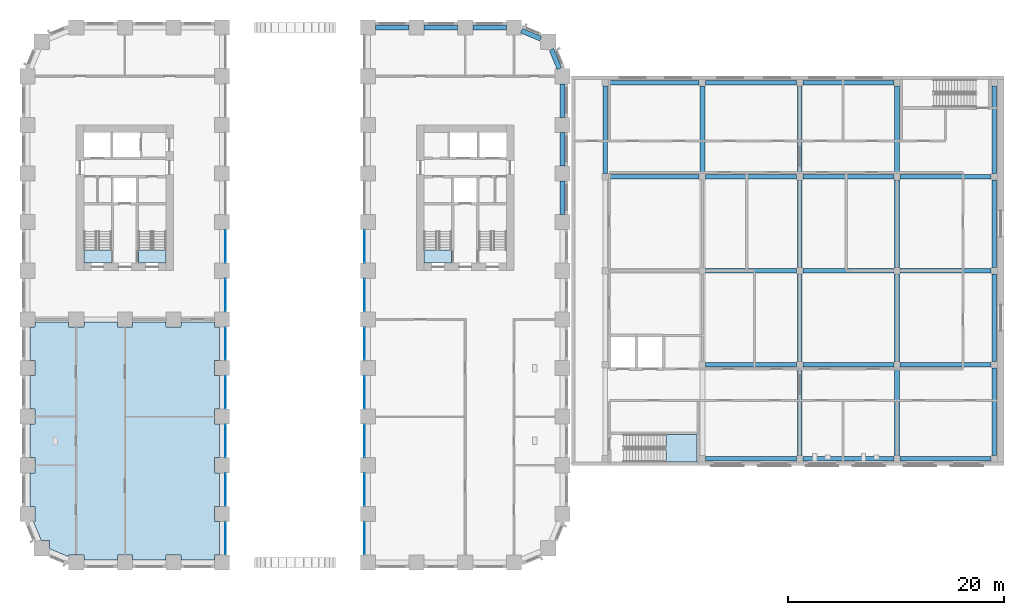
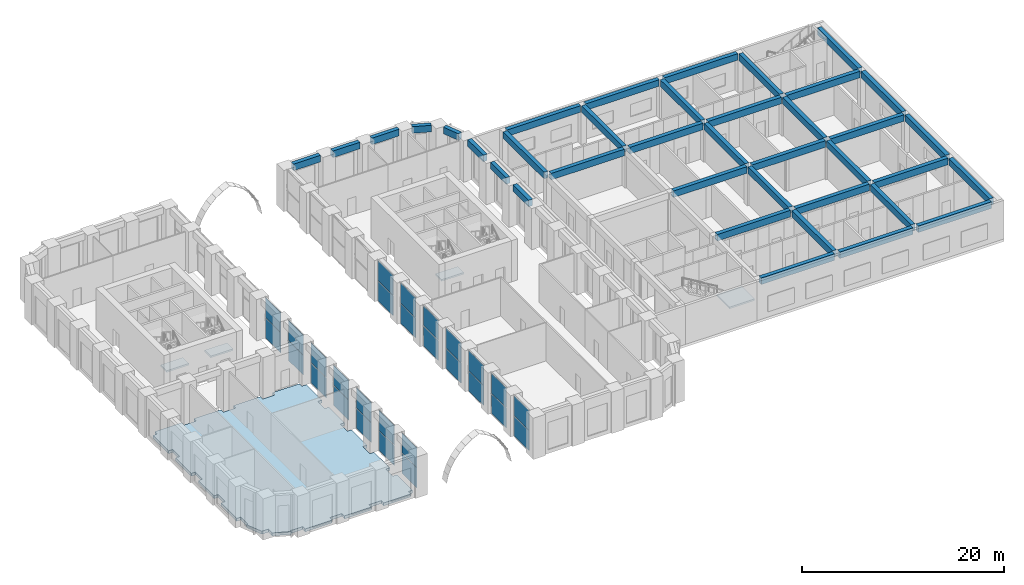
# One storey, part 6 of 24: 38 beams, 28 plates, 5 slabs, 18 elements without a shape of their own.
"""IFC4 building model written with IfcOpenShell, lengths in metres."""

from ifc_helpers import new_model, si_unit, direction, frame, origin, origin_2d, place, context, subcontext, project, spatial, polyline, rectangle, outline, extrude, material, layer, layer_set, material_profile, profile_set, type_object, element, aggregate, save


model = new_model("IFC4")

# Units and contexts
model_context = context("Model", 3, precision=1e-05, world=origin(), true_north=direction((0.0, 1.0)))
body_context = subcontext(model_context, "Body", "Model", "MODEL_VIEW")
ifc_project = project(units=[si_unit("LENGTHUNIT", "METRE"), si_unit("AREAUNIT", "SQUARE_METRE"), si_unit("VOLUMEUNIT", "CUBIC_METRE"), si_unit("PLANEANGLEUNIT", "RADIAN"), si_unit("MASSUNIT", "GRAM", prefix="KILO")], contexts=[model_context])

# Site, building, storey
site_placement = place(None, origin())
site = spatial("IfcSite", under=ifc_project, at=site_placement, CompositionType="ELEMENT")
building_placement = place(site_placement, origin())
building = spatial("IfcBuilding", under=site, at=building_placement, Name="Girih Gate Residences", CompositionType="ELEMENT")
storey_placement = place(building_placement, frame((0.0, 0.0, 11.0)))
storey = spatial("IfcBuildingStorey", under=building, at=storey_placement, Name="L02", CompositionType="ELEMENT", Elevation=11.0)

# Beams
ifc_material_1 = material(Name="Concrete C40/50", Category="concrete")
ifc_material_profile_1 = material_profile(ifc_material_1, rectangle(XDim=0.449951171875, YDim=0.800048828125, at=origin_2d()))
ifc_profile_set_1 = profile_set([ifc_material_profile_1], Name="Concrete C40/50")
beam_type_1 = type_object("IfcBeamType", Name="HC Beam 450x800 C40/50", PredefinedType="BEAM", material=ifc_profile_set_1)
for number, where, z_axis, x_axis, name in (
    (1, (62.75, 9.60009765625, 4.300048828125), (1.0, 0.0, 0.0), (0.0, 1.0, 0.0), "L02 beam HA.2"),
    (2, (71.75, 9.60009765625, 4.300048828125), (1.0, 0.0, 0.0), (0.0, 1.0, 0.0), "L02 beam HA.3"),
    (3, (80.75, 9.60009765625, 4.300048828125), (1.0, 0.0, 0.0), (0.0, 1.0, 0.0), "L02 beam HA.4"),
    (4, (62.75, 18.300048828125, 4.300048828125), (1.0, 0.0, 0.0), (0.0, 1.0, 0.0), "L02 beam HB.2"),
    (5, (71.75, 18.300048828125, 4.300048828125), (1.0, 0.0, 0.0), (0.0, 1.0, 0.0), "L02 beam HB.3"),
    (6, (80.75, 18.300048828125, 4.300048828125), (1.0, 0.0, 0.0), (0.0, 1.0, 0.0), "L02 beam HB.4"),
    (7, (62.75, 27.0, 4.300048828125), (1.0, 0.0, 0.0), (0.0, 1.0, 0.0), "L02 beam HC.2"),
    (8, (71.75, 27.0, 4.300048828125), (1.0, 0.0, 0.0), (0.0, 1.0, 0.0), "L02 beam HC.3"),
    (9, (80.75, 27.0, 4.300048828125), (1.0, 0.0, 0.0), (0.0, 1.0, 0.0), "L02 beam HC.4"),
    (10, (53.75, 35.699951171875, 4.300048828125), (1.0, 0.0, 0.0), (0.0, 1.0, 0.0), "L02 beam HD.1"),
    (11, (62.75, 35.699951171875, 4.300048828125), (1.0, 0.0, 0.0), (0.0, 1.0, 0.0), "L02 beam HD.2"),
    (12, (71.75, 35.699951171875, 4.300048828125), (1.0, 0.0, 0.0), (0.0, 1.0, 0.0), "L02 beam HD.3"),
    (13, (80.75, 35.699951171875, 4.300048828125), (1.0, 0.0, 0.0), (0.0, 1.0, 0.0), "L02 beam HD.4"),
    (14, (53.75, 44.39990234375, 4.300048828125), (1.0, 0.0, 0.0), (0.0, 1.0, 0.0), "L02 beam HE.1"),
    (15, (62.75, 44.39990234375, 4.300048828125), (1.0, 0.0, 0.0), (0.0, 1.0, 0.0), "L02 beam HE.2"),
    (16, (71.75, 44.39990234375, 4.300048828125), (1.0, 0.0, 0.0), (0.0, 1.0, 0.0), "L02 beam HE.3"),
):
    element("IfcBeam", number, at=place(storey_placement, frame(where, z_axis=z_axis, x_axis=x_axis)), inside=storey, type_object=beam_type_1, Name=name, PredefinedType="BEAM", context=body_context, shape_type="SweptSolid", body=[
        extrude(rectangle(XDim=0.449951171875, YDim=0.800048828125, at=origin_2d()), origin(), (0.0, 0.0, 1.0), 8.39990234375),
    ])
for number, where, z_axis, x_axis, name in (
    (17, (53.449951171875, 36.0, 4.300048828125), (0.0, 1.0, 0.0), (-1.0, 0.0, 0.0), "L02 beam H1.4"),
    (18, (62.449951171875, 36.0, 4.300048828125), (0.0, 1.0, 0.0), (-1.0, 0.0, 0.0), "L02 beam H2.4"),
    (19, (71.449951171875, 9.89990234375, 4.300048828125), (0.0, 1.0, 0.0), (-1.0, 0.0, 0.0), "L02 beam H3.1"),
):
    element("IfcBeam", number, at=place(storey_placement, frame(where, z_axis=z_axis, x_axis=x_axis)), inside=storey, type_object=beam_type_1, Name=name, PredefinedType="BEAM", context=body_context, shape_type="SweptSolid", body=[
        extrude(rectangle(XDim=0.449951171875, YDim=0.800048828125, at=origin_2d()), origin(), (0.0, 0.0, 1.0), 8.10009765625),
    ])
for number, where, z_axis, x_axis, name in (
    (20, (71.449951171875, 18.60009765625, 4.300048828125), (0.0, 1.0, 0.0), (-1.0, 0.0, 0.0), "L02 beam H3.2"),
    (21, (71.449951171875, 27.300048828125, 4.300048828125), (0.0, 1.0, 0.0), (-1.0, 0.0, 0.0), "L02 beam H3.3"),
):
    element("IfcBeam", number, at=place(storey_placement, frame(where, z_axis=z_axis, x_axis=x_axis)), inside=storey, type_object=beam_type_1, Name=name, PredefinedType="BEAM", context=body_context, shape_type="SweptSolid", body=[
        extrude(rectangle(XDim=0.449951171875, YDim=0.800048828125, at=origin_2d()), origin(), (0.0, 0.0, 1.0), 8.099853515625),
    ])
for number, where, z_axis, x_axis, name in (
    (22, (71.449951171875, 36.0, 4.300048828125), (0.0, 1.0, 0.0), (-1.0, 0.0, 0.0), "L02 beam H3.4"),
    (23, (80.449951171875, 9.89990234375, 4.300048828125), (0.0, 1.0, 0.0), (-1.0, 0.0, 0.0), "L02 beam H4.1"),
):
    element("IfcBeam", number, at=place(storey_placement, frame(where, z_axis=z_axis, x_axis=x_axis)), inside=storey, type_object=beam_type_1, Name=name, PredefinedType="BEAM", context=body_context, shape_type="SweptSolid", body=[
        extrude(rectangle(XDim=0.449951171875, YDim=0.800048828125, at=origin_2d()), origin(), (0.0, 0.0, 1.0), 8.10009765625),
    ])
for number, where, z_axis, x_axis, name in (
    (24, (80.449951171875, 18.60009765625, 4.300048828125), (0.0, 1.0, 0.0), (-1.0, 0.0, 0.0), "L02 beam H4.2"),
    (25, (80.449951171875, 27.300048828125, 4.300048828125), (0.0, 1.0, 0.0), (-1.0, 0.0, 0.0), "L02 beam H4.3"),
):
    element("IfcBeam", number, at=place(storey_placement, frame(where, z_axis=z_axis, x_axis=x_axis)), inside=storey, type_object=beam_type_1, Name=name, PredefinedType="BEAM", context=body_context, shape_type="SweptSolid", body=[
        extrude(rectangle(XDim=0.449951171875, YDim=0.800048828125, at=origin_2d()), origin(), (0.0, 0.0, 1.0), 8.099853515625),
    ])
for number, where, z_axis, x_axis, name in (
    (26, (80.449951171875, 36.0, 4.300048828125), (0.0, 1.0, 0.0), (-1.0, 0.0, 0.0), "L02 beam H4.4"),
    (27, (89.449951171875, 9.89990234375, 4.300048828125), (0.0, 1.0, 0.0), (-1.0, 0.0, 0.0), "L02 beam H5.1"),
):
    element("IfcBeam", number, at=place(storey_placement, frame(where, z_axis=z_axis, x_axis=x_axis)), inside=storey, type_object=beam_type_1, Name=name, PredefinedType="BEAM", context=body_context, shape_type="SweptSolid", body=[
        extrude(rectangle(XDim=0.449951171875, YDim=0.800048828125, at=origin_2d()), origin(), (0.0, 0.0, 1.0), 8.10009765625),
    ])
for number, where, z_axis, x_axis, name in (
    (28, (89.449951171875, 18.60009765625, 4.300048828125), (0.0, 1.0, 0.0), (-1.0, 0.0, 0.0), "L02 beam H5.2"),
    (29, (89.449951171875, 27.300048828125, 4.300048828125), (0.0, 1.0, 0.0), (-1.0, 0.0, 0.0), "L02 beam H5.3"),
):
    element("IfcBeam", number, at=place(storey_placement, frame(where, z_axis=z_axis, x_axis=x_axis)), inside=storey, type_object=beam_type_1, Name=name, PredefinedType="BEAM", context=body_context, shape_type="SweptSolid", body=[
        extrude(rectangle(XDim=0.449951171875, YDim=0.800048828125, at=origin_2d()), origin(), (0.0, 0.0, 1.0), 8.099853515625),
    ])
beam_placement = place(storey_placement, frame((89.449951171875, 36.0, 4.300048828125), z_axis=(0.0, 1.0, 0.0), x_axis=(-1.0, 0.0, 0.0)))
element("IfcBeam", 30, at=beam_placement, inside=storey, type_object=beam_type_1, Name="L02 beam H5.4", PredefinedType="BEAM", context=body_context, shape_type="SweptSolid", body=[
    extrude(rectangle(XDim=0.449951171875, YDim=0.800048828125, at=origin_2d()), origin(), (0.0, 0.0, 1.0), 8.10009765625),
])
ifc_material_2 = material(Name="Concrete C60/75", Category="concrete")
ifc_material_profile_2 = material_profile(ifc_material_2, rectangle(XDim=0.449951171875, YDim=0.800048828125, at=origin_2d()))
ifc_profile_set_2 = profile_set([ifc_material_profile_2], Name="Concrete C60/75")
beam_type_2 = type_object("IfcBeamType", Name="Spandrel girder RC 450x800 Concrete C60/75", PredefinedType="BEAM", material=ifc_profile_set_2)
for number, where, z_axis, x_axis, name in (
    (31, (49.5, 32.199951171875, 4.60009765625), (0.0, 1.0, 0.0), (-1.0, 0.0, 0.0), "Spandrel girder SP-P12H-P12I L02"),
    (32, (49.5, 36.699951171875, 4.60009765625), (0.0, 1.0, 0.0), (-1.0, 0.0, 0.0), "Spandrel girder SP-P12I-P12J L02"),
    (33, (49.5, 41.199951171875, 4.60009765625), (0.0, 1.0, 0.0), (-1.0, 0.0, 0.0), "Spandrel girder SP-P12J-P12K L02"),
):
    element("IfcBeam", number, at=place(storey_placement, frame(where, z_axis=z_axis, x_axis=x_axis)), inside=storey, type_object=beam_type_2, Name=name, PredefinedType="BEAM", context=body_context, shape_type="SweptSolid", body=[
        extrude(rectangle(XDim=0.449951171875, YDim=0.800048828125, at=origin_2d()), origin(), (0.0, 0.0, 1.0), 3.10009765625),
    ])
for number, where, z_axis, x_axis, name in (
    (34, (49.2099609375, 45.699951171875, 4.60009765625), (-0.382646180293, 0.923894961945, 0.0), (-0.923894961945, -0.382646180293, 0.0), "Spandrel girder SP-P12K-P12LSW L02"),
    (35, (47.48193359375, 48.471923828125, 4.60009765625), (-0.923894961945, 0.382646180293, 0.0), (-0.382646180293, -0.923894961945, 0.0), "Spandrel girder SP-P12LSW-P11L L02"),
):
    element("IfcBeam", number, at=place(storey_placement, frame(where, z_axis=z_axis, x_axis=x_axis)), inside=storey, type_object=beam_type_2, Name=name, PredefinedType="BEAM", context=body_context, shape_type="SweptSolid", body=[
        extrude(rectangle(XDim=0.449951171875, YDim=0.800048828125, at=origin_2d()), origin(), (0.0, 0.0, 1.0), 1.9287109375),
    ])
for number, where, z_axis, x_axis, name in (
    (36, (44.300048828125, 49.5, 4.60009765625), (-1.0, 0.0, 0.0), (0.0, -1.0, 0.0), "Spandrel girder SP-P11L-P10L L02"),
    (37, (39.800048828125, 49.5, 4.60009765625), (-1.0, 0.0, 0.0), (0.0, -1.0, 0.0), "Spandrel girder SP-P10L-P9L L02"),
    (38, (35.300048828125, 49.5, 4.60009765625), (-1.0, 0.0, 0.0), (0.0, -1.0, 0.0), "Spandrel girder SP-P9L-P8L L02"),
):
    element("IfcBeam", number, at=place(storey_placement, frame(where, z_axis=z_axis, x_axis=x_axis)), inside=storey, type_object=beam_type_2, Name=name, PredefinedType="BEAM", context=body_context, shape_type="SweptSolid", body=[
        extrude(rectangle(XDim=0.449951171875, YDim=0.800048828125, at=origin_2d()), origin(), (0.0, 0.0, 1.0), 3.10009765625),
    ])

# Curtain wall, plates
ifc_material_3 = material(Name="Aluminium curtain wall frame", Category="aluminium")
curtain_wall_type = type_object("IfcCurtainWallType", Name="Curtain wall CW-2 podium amenity glazing", PredefinedType="NOTDEFINED", material=ifc_material_3)
curtain_wall_1_placement = place(storey_placement, origin())
curtain_wall_1 = element("IfcCurtainWall", 39, at=curtain_wall_1_placement, inside=storey, type_object=curtain_wall_type, Name="CW-2 Podium amenity glazing E0180_0000.0", PredefinedType="NOTDEFINED")
ifc_material_4 = material(Name="Double glazed unit")
ifc_layer_1 = layer(ifc_material_4, 0.028076171875)
ifc_layer_set_1 = layer_set([ifc_layer_1], Name="Curtain wall glass panel 28")
plate_type = type_object("IfcPlateType", Name="Curtain wall glass panel 28", PredefinedType="CURTAIN_PANEL", material=ifc_layer_set_1)
plate_1_placement = place(storey_placement, frame((18.31494140625, 2.25, 0.06005859375), z_axis=(0.0, 0.0, 1.0), x_axis=(0.0, 1.0, 0.0)))
plate_1 = element("IfcPlate", 40, at=plate_1_placement, type_object=plate_type, Name="CW-2 panel 1.1", PredefinedType="CURTAIN_PANEL", context=body_context, shape_type="SweptSolid", body=[
    extrude(rectangle(XDim=2.97998046875, YDim=0.028076171875, at=origin_2d()), origin(), (0.0, 0.0, 1.0), 2.409912109375),
])
plate_2_placement = place(storey_placement, frame((18.31494140625, 2.25, 2.5302734375), z_axis=(0.0, 0.0, 1.0), x_axis=(0.0, 1.0, 0.0)))
plate_2 = element("IfcPlate", 41, at=plate_2_placement, type_object=plate_type, Name="CW-2 panel 1.2", PredefinedType="CURTAIN_PANEL", context=body_context, shape_type="SweptSolid", body=[
    extrude(rectangle(XDim=2.97998046875, YDim=0.028076171875, at=origin_2d()), origin(), (0.0, 0.0, 1.0), 2.409912109375),
])
aggregate(curtain_wall_1, [plate_1, plate_2])

curtain_wall_2_placement = place(storey_placement, origin())
curtain_wall_2 = element("IfcCurtainWall", 42, at=curtain_wall_2_placement, inside=storey, type_object=curtain_wall_type, Name="CW-2 Podium amenity glazing E0180_0000.1", PredefinedType="NOTDEFINED")
plate_3_placement = place(storey_placement, frame((18.31494140625, 6.75, 0.06005859375), z_axis=(0.0, 0.0, 1.0), x_axis=(0.0, 1.0, 0.0)))
plate_3 = element("IfcPlate", 43, at=plate_3_placement, type_object=plate_type, Name="CW-2 panel 1.1", PredefinedType="CURTAIN_PANEL", context=body_context, shape_type="SweptSolid", body=[
    extrude(rectangle(XDim=2.97998046875, YDim=0.028076171875, at=origin_2d()), origin(), (0.0, 0.0, 1.0), 2.409912109375),
])
plate_4_placement = place(storey_placement, frame((18.31494140625, 6.75, 2.5302734375), z_axis=(0.0, 0.0, 1.0), x_axis=(0.0, 1.0, 0.0)))
plate_4 = element("IfcPlate", 44, at=plate_4_placement, type_object=plate_type, Name="CW-2 panel 1.2", PredefinedType="CURTAIN_PANEL", context=body_context, shape_type="SweptSolid", body=[
    extrude(rectangle(XDim=2.97998046875, YDim=0.028076171875, at=origin_2d()), origin(), (0.0, 0.0, 1.0), 2.409912109375),
])
aggregate(curtain_wall_2, [plate_3, plate_4])

curtain_wall_3_placement = place(storey_placement, origin())
curtain_wall_3 = element("IfcCurtainWall", 45, at=curtain_wall_3_placement, inside=storey, type_object=curtain_wall_type, Name="CW-2 Podium amenity glazing E0180_0000.2", PredefinedType="NOTDEFINED")
plate_5_placement = place(storey_placement, frame((18.31494140625, 11.25, 0.06005859375), z_axis=(0.0, 0.0, 1.0), x_axis=(0.0, 1.0, 0.0)))
plate_5 = element("IfcPlate", 46, at=plate_5_placement, type_object=plate_type, Name="CW-2 panel 1.1", PredefinedType="CURTAIN_PANEL", context=body_context, shape_type="SweptSolid", body=[
    extrude(rectangle(XDim=2.97998046875, YDim=0.028076171875, at=origin_2d()), origin(), (0.0, 0.0, 1.0), 2.409912109375),
])
plate_6_placement = place(storey_placement, frame((18.31494140625, 11.25, 2.5302734375), z_axis=(0.0, 0.0, 1.0), x_axis=(0.0, 1.0, 0.0)))
plate_6 = element("IfcPlate", 47, at=plate_6_placement, type_object=plate_type, Name="CW-2 panel 1.2", PredefinedType="CURTAIN_PANEL", context=body_context, shape_type="SweptSolid", body=[
    extrude(rectangle(XDim=2.97998046875, YDim=0.028076171875, at=origin_2d()), origin(), (0.0, 0.0, 1.0), 2.409912109375),
])
aggregate(curtain_wall_3, [plate_5, plate_6])

curtain_wall_4_placement = place(storey_placement, origin())
curtain_wall_4 = element("IfcCurtainWall", 48, at=curtain_wall_4_placement, inside=storey, type_object=curtain_wall_type, Name="CW-2 Podium amenity glazing E0180_0000.3", PredefinedType="NOTDEFINED")
plate_7_placement = place(storey_placement, frame((18.31494140625, 15.75, 0.06005859375), z_axis=(0.0, 0.0, 1.0), x_axis=(0.0, 1.0, 0.0)))
plate_7 = element("IfcPlate", 49, at=plate_7_placement, type_object=plate_type, Name="CW-2 panel 1.1", PredefinedType="CURTAIN_PANEL", context=body_context, shape_type="SweptSolid", body=[
    extrude(rectangle(XDim=2.97998046875, YDim=0.028076171875, at=origin_2d()), origin(), (0.0, 0.0, 1.0), 2.409912109375),
])
plate_8_placement = place(storey_placement, frame((18.31494140625, 15.75, 2.5302734375), z_axis=(0.0, 0.0, 1.0), x_axis=(0.0, 1.0, 0.0)))
plate_8 = element("IfcPlate", 50, at=plate_8_placement, type_object=plate_type, Name="CW-2 panel 1.2", PredefinedType="CURTAIN_PANEL", context=body_context, shape_type="SweptSolid", body=[
    extrude(rectangle(XDim=2.97998046875, YDim=0.028076171875, at=origin_2d()), origin(), (0.0, 0.0, 1.0), 2.409912109375),
])
aggregate(curtain_wall_4, [plate_7, plate_8])

curtain_wall_5_placement = place(storey_placement, origin())
curtain_wall_5 = element("IfcCurtainWall", 51, at=curtain_wall_5_placement, inside=storey, type_object=curtain_wall_type, Name="CW-2 Podium amenity glazing E0180_0000.4", PredefinedType="NOTDEFINED")
plate_9_placement = place(storey_placement, frame((18.31494140625, 20.25, 0.06005859375), z_axis=(0.0, 0.0, 1.0), x_axis=(0.0, 1.0, 0.0)))
plate_9 = element("IfcPlate", 52, at=plate_9_placement, type_object=plate_type, Name="CW-2 panel 1.1", PredefinedType="CURTAIN_PANEL", context=body_context, shape_type="SweptSolid", body=[
    extrude(rectangle(XDim=2.97998046875, YDim=0.028076171875, at=origin_2d()), origin(), (0.0, 0.0, 1.0), 2.409912109375),
])
plate_10_placement = place(storey_placement, frame((18.31494140625, 20.25, 2.5302734375), z_axis=(0.0, 0.0, 1.0), x_axis=(0.0, 1.0, 0.0)))
plate_10 = element("IfcPlate", 53, at=plate_10_placement, type_object=plate_type, Name="CW-2 panel 1.2", PredefinedType="CURTAIN_PANEL", context=body_context, shape_type="SweptSolid", body=[
    extrude(rectangle(XDim=2.97998046875, YDim=0.028076171875, at=origin_2d()), origin(), (0.0, 0.0, 1.0), 2.409912109375),
])
aggregate(curtain_wall_5, [plate_9, plate_10])

curtain_wall_6_placement = place(storey_placement, origin())
curtain_wall_6 = element("IfcCurtainWall", 54, at=curtain_wall_6_placement, inside=storey, type_object=curtain_wall_type, Name="CW-2 Podium amenity glazing E0180_0000.5", PredefinedType="NOTDEFINED")
plate_11_placement = place(storey_placement, frame((18.31494140625, 24.75, 0.06005859375), z_axis=(0.0, 0.0, 1.0), x_axis=(0.0, 1.0, 0.0)))
plate_11 = element("IfcPlate", 55, at=plate_11_placement, type_object=plate_type, Name="CW-2 panel 1.1", PredefinedType="CURTAIN_PANEL", context=body_context, shape_type="SweptSolid", body=[
    extrude(rectangle(XDim=2.97998046875, YDim=0.028076171875, at=origin_2d()), origin(), (0.0, 0.0, 1.0), 2.409912109375),
])
plate_12_placement = place(storey_placement, frame((18.31494140625, 24.75, 2.5302734375), z_axis=(0.0, 0.0, 1.0), x_axis=(0.0, 1.0, 0.0)))
plate_12 = element("IfcPlate", 56, at=plate_12_placement, type_object=plate_type, Name="CW-2 panel 1.2", PredefinedType="CURTAIN_PANEL", context=body_context, shape_type="SweptSolid", body=[
    extrude(rectangle(XDim=2.97998046875, YDim=0.028076171875, at=origin_2d()), origin(), (0.0, 0.0, 1.0), 2.409912109375),
])
aggregate(curtain_wall_6, [plate_11, plate_12])

curtain_wall_7_placement = place(storey_placement, origin())
curtain_wall_7 = element("IfcCurtainWall", 57, at=curtain_wall_7_placement, inside=storey, type_object=curtain_wall_type, Name="CW-2 Podium amenity glazing E0180_0000.6", PredefinedType="NOTDEFINED")
plate_13_placement = place(storey_placement, frame((18.31494140625, 29.25, 0.06005859375), z_axis=(0.0, 0.0, 1.0), x_axis=(0.0, 1.0, 0.0)))
plate_13 = element("IfcPlate", 58, at=plate_13_placement, type_object=plate_type, Name="CW-2 panel 1.1", PredefinedType="CURTAIN_PANEL", context=body_context, shape_type="SweptSolid", body=[
    extrude(rectangle(XDim=2.97998046875, YDim=0.028076171875, at=origin_2d()), origin(), (0.0, 0.0, 1.0), 2.409912109375),
])
plate_14_placement = place(storey_placement, frame((18.31494140625, 29.25, 2.5302734375), z_axis=(0.0, 0.0, 1.0), x_axis=(0.0, 1.0, 0.0)))
plate_14 = element("IfcPlate", 59, at=plate_14_placement, type_object=plate_type, Name="CW-2 panel 1.2", PredefinedType="CURTAIN_PANEL", context=body_context, shape_type="SweptSolid", body=[
    extrude(rectangle(XDim=2.97998046875, YDim=0.028076171875, at=origin_2d()), origin(), (0.0, 0.0, 1.0), 2.409912109375),
])
aggregate(curtain_wall_7, [plate_13, plate_14])

curtain_wall_8_placement = place(storey_placement, origin())
curtain_wall_8 = element("IfcCurtainWall", 60, at=curtain_wall_8_placement, inside=storey, type_object=curtain_wall_type, Name="CW-2 Podium amenity glazing W0315_0495.4", PredefinedType="NOTDEFINED")
plate_15_placement = place(storey_placement, frame((31.18505859375, 29.25, 0.06005859375), z_axis=(0.0, 0.0, 1.0), x_axis=(0.0, -1.0, 0.0)))
plate_15 = element("IfcPlate", 61, at=plate_15_placement, type_object=plate_type, Name="CW-2 panel 1.1", PredefinedType="CURTAIN_PANEL", context=body_context, shape_type="SweptSolid", body=[
    extrude(rectangle(XDim=2.97998046875, YDim=0.028076171875, at=origin_2d()), origin(), (0.0, 0.0, 1.0), 2.409912109375),
])
plate_16_placement = place(storey_placement, frame((31.18505859375, 29.25, 2.5302734375), z_axis=(0.0, 0.0, 1.0), x_axis=(0.0, -1.0, 0.0)))
plate_16 = element("IfcPlate", 62, at=plate_16_placement, type_object=plate_type, Name="CW-2 panel 1.2", PredefinedType="CURTAIN_PANEL", context=body_context, shape_type="SweptSolid", body=[
    extrude(rectangle(XDim=2.97998046875, YDim=0.028076171875, at=origin_2d()), origin(), (0.0, 0.0, 1.0), 2.409912109375),
])
aggregate(curtain_wall_8, [plate_15, plate_16])

curtain_wall_9_placement = place(storey_placement, origin())
curtain_wall_9 = element("IfcCurtainWall", 63, at=curtain_wall_9_placement, inside=storey, type_object=curtain_wall_type, Name="CW-2 Podium amenity glazing W0315_0495.5", PredefinedType="NOTDEFINED")
plate_17_placement = place(storey_placement, frame((31.18505859375, 24.75, 0.06005859375), z_axis=(0.0, 0.0, 1.0), x_axis=(0.0, -1.0, 0.0)))
plate_17 = element("IfcPlate", 64, at=plate_17_placement, type_object=plate_type, Name="CW-2 panel 1.1", PredefinedType="CURTAIN_PANEL", context=body_context, shape_type="SweptSolid", body=[
    extrude(rectangle(XDim=2.97998046875, YDim=0.028076171875, at=origin_2d()), origin(), (0.0, 0.0, 1.0), 2.409912109375),
])
plate_18_placement = place(storey_placement, frame((31.18505859375, 24.75, 2.5302734375), z_axis=(0.0, 0.0, 1.0), x_axis=(0.0, -1.0, 0.0)))
plate_18 = element("IfcPlate", 65, at=plate_18_placement, type_object=plate_type, Name="CW-2 panel 1.2", PredefinedType="CURTAIN_PANEL", context=body_context, shape_type="SweptSolid", body=[
    extrude(rectangle(XDim=2.97998046875, YDim=0.028076171875, at=origin_2d()), origin(), (0.0, 0.0, 1.0), 2.409912109375),
])
aggregate(curtain_wall_9, [plate_17, plate_18])

curtain_wall_10_placement = place(storey_placement, origin())
curtain_wall_10 = element("IfcCurtainWall", 66, at=curtain_wall_10_placement, inside=storey, type_object=curtain_wall_type, Name="CW-2 Podium amenity glazing W0315_0495.6", PredefinedType="NOTDEFINED")
plate_19_placement = place(storey_placement, frame((31.18505859375, 20.25, 0.06005859375), z_axis=(0.0, 0.0, 1.0), x_axis=(0.0, -1.0, 0.0)))
plate_19 = element("IfcPlate", 67, at=plate_19_placement, type_object=plate_type, Name="CW-2 panel 1.1", PredefinedType="CURTAIN_PANEL", context=body_context, shape_type="SweptSolid", body=[
    extrude(rectangle(XDim=2.97998046875, YDim=0.028076171875, at=origin_2d()), origin(), (0.0, 0.0, 1.0), 2.409912109375),
])
plate_20_placement = place(storey_placement, frame((31.18505859375, 20.25, 2.5302734375), z_axis=(0.0, 0.0, 1.0), x_axis=(0.0, -1.0, 0.0)))
plate_20 = element("IfcPlate", 68, at=plate_20_placement, type_object=plate_type, Name="CW-2 panel 1.2", PredefinedType="CURTAIN_PANEL", context=body_context, shape_type="SweptSolid", body=[
    extrude(rectangle(XDim=2.97998046875, YDim=0.028076171875, at=origin_2d()), origin(), (0.0, 0.0, 1.0), 2.409912109375),
])
aggregate(curtain_wall_10, [plate_19, plate_20])

curtain_wall_11_placement = place(storey_placement, origin())
curtain_wall_11 = element("IfcCurtainWall", 69, at=curtain_wall_11_placement, inside=storey, type_object=curtain_wall_type, Name="CW-2 Podium amenity glazing W0315_0495.7", PredefinedType="NOTDEFINED")
plate_21_placement = place(storey_placement, frame((31.18505859375, 15.75, 0.06005859375), z_axis=(0.0, 0.0, 1.0), x_axis=(0.0, -1.0, 0.0)))
plate_21 = element("IfcPlate", 70, at=plate_21_placement, type_object=plate_type, Name="CW-2 panel 1.1", PredefinedType="CURTAIN_PANEL", context=body_context, shape_type="SweptSolid", body=[
    extrude(rectangle(XDim=2.97998046875, YDim=0.028076171875, at=origin_2d()), origin(), (0.0, 0.0, 1.0), 2.409912109375),
])
plate_22_placement = place(storey_placement, frame((31.18505859375, 15.75, 2.5302734375), z_axis=(0.0, 0.0, 1.0), x_axis=(0.0, -1.0, 0.0)))
plate_22 = element("IfcPlate", 71, at=plate_22_placement, type_object=plate_type, Name="CW-2 panel 1.2", PredefinedType="CURTAIN_PANEL", context=body_context, shape_type="SweptSolid", body=[
    extrude(rectangle(XDim=2.97998046875, YDim=0.028076171875, at=origin_2d()), origin(), (0.0, 0.0, 1.0), 2.409912109375),
])
aggregate(curtain_wall_11, [plate_21, plate_22])

curtain_wall_12_placement = place(storey_placement, origin())
curtain_wall_12 = element("IfcCurtainWall", 72, at=curtain_wall_12_placement, inside=storey, type_object=curtain_wall_type, Name="CW-2 Podium amenity glazing W0315_0495.8", PredefinedType="NOTDEFINED")
plate_23_placement = place(storey_placement, frame((31.18505859375, 11.25, 0.06005859375), z_axis=(0.0, 0.0, 1.0), x_axis=(0.0, -1.0, 0.0)))
plate_23 = element("IfcPlate", 73, at=plate_23_placement, type_object=plate_type, Name="CW-2 panel 1.1", PredefinedType="CURTAIN_PANEL", context=body_context, shape_type="SweptSolid", body=[
    extrude(rectangle(XDim=2.97998046875, YDim=0.028076171875, at=origin_2d()), origin(), (0.0, 0.0, 1.0), 2.409912109375),
])
plate_24_placement = place(storey_placement, frame((31.18505859375, 11.25, 2.5302734375), z_axis=(0.0, 0.0, 1.0), x_axis=(0.0, -1.0, 0.0)))
plate_24 = element("IfcPlate", 74, at=plate_24_placement, type_object=plate_type, Name="CW-2 panel 1.2", PredefinedType="CURTAIN_PANEL", context=body_context, shape_type="SweptSolid", body=[
    extrude(rectangle(XDim=2.97998046875, YDim=0.028076171875, at=origin_2d()), origin(), (0.0, 0.0, 1.0), 2.409912109375),
])
aggregate(curtain_wall_12, [plate_23, plate_24])

curtain_wall_13_placement = place(storey_placement, origin())
curtain_wall_13 = element("IfcCurtainWall", 75, at=curtain_wall_13_placement, inside=storey, type_object=curtain_wall_type, Name="CW-2 Podium amenity glazing W0315_0495.9", PredefinedType="NOTDEFINED")
plate_25_placement = place(storey_placement, frame((31.18505859375, 6.75, 0.06005859375), z_axis=(0.0, 0.0, 1.0), x_axis=(0.0, -1.0, 0.0)))
plate_25 = element("IfcPlate", 76, at=plate_25_placement, type_object=plate_type, Name="CW-2 panel 1.1", PredefinedType="CURTAIN_PANEL", context=body_context, shape_type="SweptSolid", body=[
    extrude(rectangle(XDim=2.97998046875, YDim=0.028076171875, at=origin_2d()), origin(), (0.0, 0.0, 1.0), 2.409912109375),
])
plate_26_placement = place(storey_placement, frame((31.18505859375, 6.75, 2.5302734375), z_axis=(0.0, 0.0, 1.0), x_axis=(0.0, -1.0, 0.0)))
plate_26 = element("IfcPlate", 77, at=plate_26_placement, type_object=plate_type, Name="CW-2 panel 1.2", PredefinedType="CURTAIN_PANEL", context=body_context, shape_type="SweptSolid", body=[
    extrude(rectangle(XDim=2.97998046875, YDim=0.028076171875, at=origin_2d()), origin(), (0.0, 0.0, 1.0), 2.409912109375),
])
aggregate(curtain_wall_13, [plate_25, plate_26])

curtain_wall_14_placement = place(storey_placement, origin())
curtain_wall_14 = element("IfcCurtainWall", 78, at=curtain_wall_14_placement, inside=storey, type_object=curtain_wall_type, Name="CW-2 Podium amenity glazing W0315_0495.10", PredefinedType="NOTDEFINED")
plate_27_placement = place(storey_placement, frame((31.18505859375, 2.25, 0.06005859375), z_axis=(0.0, 0.0, 1.0), x_axis=(0.0, -1.0, 0.0)))
plate_27 = element("IfcPlate", 79, at=plate_27_placement, type_object=plate_type, Name="CW-2 panel 1.1", PredefinedType="CURTAIN_PANEL", context=body_context, shape_type="SweptSolid", body=[
    extrude(rectangle(XDim=2.97998046875, YDim=0.028076171875, at=origin_2d()), origin(), (0.0, 0.0, 1.0), 2.409912109375),
])
plate_28_placement = place(storey_placement, frame((31.18505859375, 2.25, 2.5302734375), z_axis=(0.0, 0.0, 1.0), x_axis=(0.0, -1.0, 0.0)))
plate_28 = element("IfcPlate", 80, at=plate_28_placement, type_object=plate_type, Name="CW-2 panel 1.2", PredefinedType="CURTAIN_PANEL", context=body_context, shape_type="SweptSolid", body=[
    extrude(rectangle(XDim=2.97998046875, YDim=0.028076171875, at=origin_2d()), origin(), (0.0, 0.0, 1.0), 2.409912109375),
])
aggregate(curtain_wall_14, [plate_27, plate_28])

# Slab
ifc_layer_2 = layer(ifc_material_1, 0.35009765625)
ifc_layer_set_2 = layer_set([ifc_layer_2], Name="Floor slab PT 350 Concrete C40/50")
slab_type_1 = type_object("IfcSlabType", Name="Floor slab PT 350 Concrete C40/50", PredefinedType="FLOOR", material=ifc_layer_set_2)
slab_1_placement = place(storey_placement, frame((0.0, 0.0, -0.35009765625)))
element("IfcSlab", 81, at=slab_1_placement, inside=storey, type_object=slab_type_1, Name="Floor slab L02 0", PredefinedType="FLOOR", context=body_context, shape_type="SweptSolid", body=[
    extrude(outline(polyline([(14.199951171875, 0.22509765625), (17.300048828125, 0.22509765625), (17.300048828125, 0.699951171875), (17.77490234375, 0.699951171875), (17.77490234375, 3.800048828125), (17.300048828125, 3.800048828125), (17.300048828125, 5.199951171875), (17.77490234375, 5.199951171875), (17.77490234375, 8.300048828125), (17.300048828125, 8.300048828125), (17.300048828125, 9.699951171875), (17.77490234375, 9.699951171875), (17.77490234375, 12.800048828125), (17.300048828125, 12.800048828125), (17.300048828125, 14.199951171875), (17.77490234375, 14.199951171875), (17.77490234375, 17.300048828125), (17.300048828125, 17.300048828125), (17.300048828125, 18.699951171875), (17.77490234375, 18.699951171875), (17.77490234375, 21.800048828125), (17.300048828125, 21.800048828125), (17.300048828125, 22.27490234375), (14.199951171875, 22.27490234375), (14.199951171875, 21.800048828125), (12.800048828125, 21.800048828125), (12.800048828125, 22.27490234375), (9.699951171875, 22.27490234375), (9.699951171875, 21.800048828125), (8.300048828125, 21.800048828125), (8.300048828125, 22.27490234375), (5.199951171875, 22.27490234375), (5.199951171875, 21.800048828125), (3.800048828125, 21.800048828125), (3.800048828125, 22.27490234375), (0.699951171875, 22.27490234375), (0.699951171875, 21.800048828125), (0.22509765625, 21.800048828125), (0.22509765625, 18.699951171875), (0.699951171875, 18.699951171875), (0.699951171875, 17.300048828125), (0.22509765625, 17.300048828125), (0.22509765625, 14.199951171875), (0.699951171875, 14.199951171875), (0.699951171875, 12.800048828125), (0.22509765625, 12.800048828125), (0.22509765625, 9.699951171875), (0.699951171875, 9.699951171875), (0.699951171875, 8.300048828125), (0.22509765625, 8.300048828125), (0.22509765625, 5.199951171875), (0.699951171875, 5.199951171875), (0.699951171875, 3.800048828125), (0.533447265625, 3.800048828125), (1.271728515625, 2.01806640625), (2.01806640625, 2.01806640625), (2.01806640625, 1.271728515625), (3.800048828125, 0.533447265625), (3.800048828125, 0.699951171875), (5.199951171875, 0.699951171875), (5.199951171875, 0.22509765625), (8.300048828125, 0.22509765625), (8.300048828125, 0.699951171875), (9.699951171875, 0.699951171875), (9.699951171875, 0.22509765625), (12.800048828125, 0.22509765625), (12.800048828125, 0.699951171875), (14.199951171875, 0.699951171875), (14.199951171875, 0.22509765625)])), origin(), (0.0, 0.0, 1.0), 0.35009765625),
])

# Stair, slab
stair_type_1 = type_object("IfcStairType", Name="HC Stair", PredefinedType="HALF_TURN_STAIR", material=ifc_material_1)
stair_1_placement = place(storey_placement, origin())
stair_1 = element("IfcStair", 82, at=stair_1_placement, inside=storey, type_object=stair_type_1, Name="L02 stair A", PredefinedType="HALF_TURN_STAIR")
ifc_layer_3 = layer(ifc_material_1, 0.199951171875)
ifc_layer_set_3 = layer_set([ifc_layer_3], Name="HC Stair landing 200")
slab_type_2 = type_object("IfcSlabType", Name="HC Stair landing 200", PredefinedType="LANDING", material=ifc_layer_set_3)
slab_2_placement = place(storey_placement, frame((0.0, 0.0, 2.300048828125)))
slab_2 = element("IfcSlab", 83, at=slab_2_placement, type_object=slab_type_2, Name="HC-STA landing 1", PredefinedType="LANDING", context=body_context, shape_type="SweptSolid", body=[
    extrude(outline(polyline([(59.070068359375, 9.300048828125), (61.949951171875, 9.300048828125), (61.949951171875, 11.85009765625), (59.070068359375, 11.85009765625), (59.070068359375, 9.300048828125)])), origin(), (0.0, 0.0, 1.0), 0.199951171875),
])
aggregate(stair_1, [slab_2])

stair_type_2 = type_object("IfcStairType", Name="Exit stair", PredefinedType="HALF_TURN_STAIR", material=ifc_material_1)
stair_2_placement = place(storey_placement, origin())
stair_2 = element("IfcStair", 84, at=stair_2_placement, inside=storey, type_object=stair_type_2, Name="L02 Exit Stair ST-W1", PredefinedType="HALF_TURN_STAIR")
ifc_layer_4 = layer(ifc_material_1, 0.199951171875)
ifc_layer_set_4 = layer_set([ifc_layer_4], Name="Stair landing 200")
slab_type_3 = type_object("IfcSlabType", Name="Stair landing 200", PredefinedType="LANDING", material=ifc_layer_set_4)
slab_3_placement = place(storey_placement, frame((0.0, 0.0, 2.300048828125)))
slab_3 = element("IfcSlab", 85, at=slab_3_placement, type_object=slab_type_3, Name="ST-W1 landing 2", PredefinedType="LANDING", context=body_context, shape_type="SweptSolid", body=[
    extrude(outline(polyline([(7.75, 27.699951171875), (7.75, 28.89990234375), (5.199951171875, 28.89990234375), (5.199951171875, 27.699951171875), (7.75, 27.699951171875)])), origin(), (0.0, 0.0, 1.0), 0.199951171875),
])
aggregate(stair_2, [slab_3])

stair_3_placement = place(storey_placement, origin())
stair_3 = element("IfcStair", 86, at=stair_3_placement, inside=storey, type_object=stair_type_2, Name="L02 Exit Stair ST-W2", PredefinedType="HALF_TURN_STAIR")
slab_4_placement = place(storey_placement, frame((0.0, 0.0, 2.300048828125)))
slab_4 = element("IfcSlab", 87, at=slab_4_placement, type_object=slab_type_3, Name="ST-W2 landing 2", PredefinedType="LANDING", context=body_context, shape_type="SweptSolid", body=[
    extrude(outline(polyline([(12.800048828125, 27.699951171875), (12.800048828125, 28.89990234375), (10.25, 28.89990234375), (10.25, 27.699951171875), (12.800048828125, 27.699951171875)])), origin(), (0.0, 0.0, 1.0), 0.199951171875),
])
aggregate(stair_3, [slab_4])

stair_4_placement = place(storey_placement, origin())
stair_4 = element("IfcStair", 88, at=stair_4_placement, inside=storey, type_object=stair_type_2, Name="L02 Exit Stair ST-E2", PredefinedType="HALF_TURN_STAIR")
slab_5_placement = place(storey_placement, frame((0.0, 0.0, 2.300048828125)))
slab_5 = element("IfcSlab", 89, at=slab_5_placement, type_object=slab_type_3, Name="ST-E2 landing 2", PredefinedType="LANDING", context=body_context, shape_type="SweptSolid", body=[
    extrude(outline(polyline([(39.25, 27.699951171875), (39.25, 28.89990234375), (36.699951171875, 28.89990234375), (36.699951171875, 27.699951171875), (39.25, 27.699951171875)])), origin(), (0.0, 0.0, 1.0), 0.199951171875),
])
aggregate(stair_4, [slab_5])

save(model, "model.ifc")
